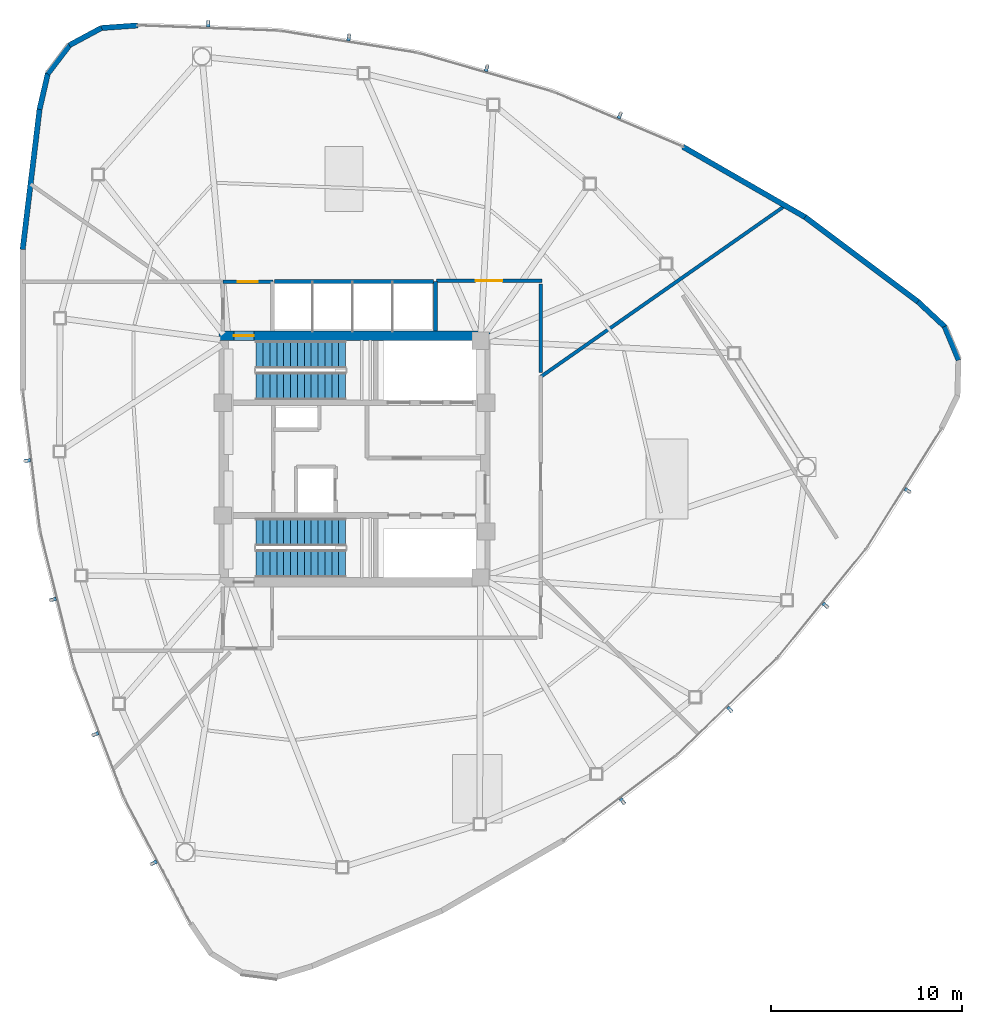
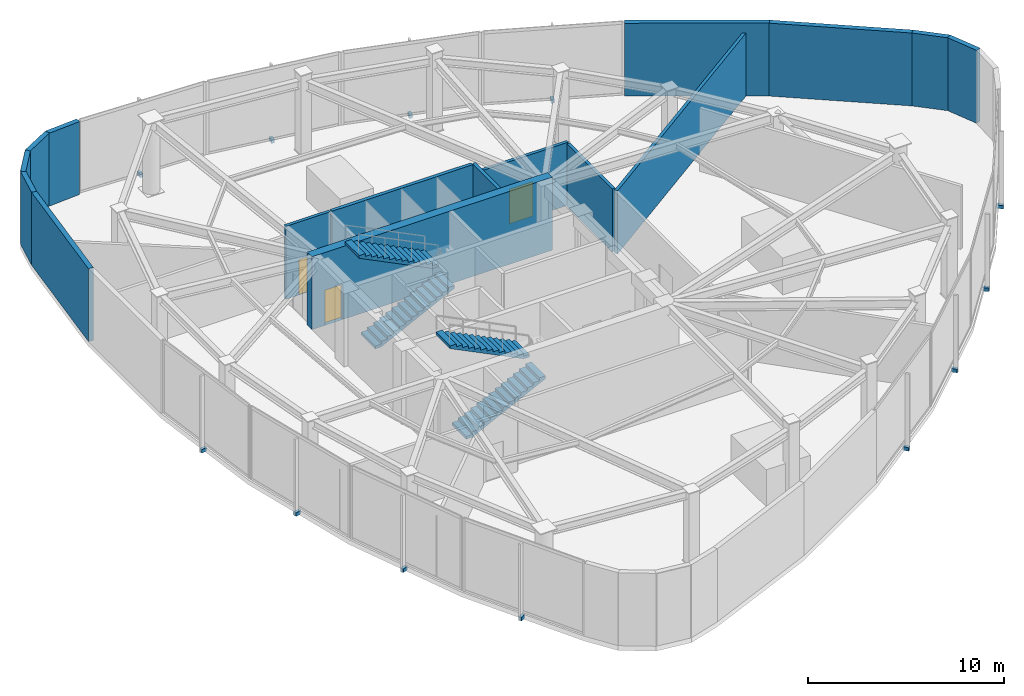
# One storey, part 12 of 17: 16 walls, 12 discrete accessories, 4 stair flights, 3 doors, 3 openings, 2 elements without a shape of their own.
"""IFC4 building model written with IfcOpenShell, lengths in metres."""

from ifc_helpers import new_model, si_unit, direction, frame, frame_2d, origin, origin_2d, place, context, subcontext, project, spatial, polyline, rectangle, outline, extrude, source, transform, mapped, material, layer, layer_set, type_object, type_shapes, element, fill, aggregate, save


model = new_model("IFC4")

# Units and contexts
model_context = context("Model", 3, precision=1e-05, world=origin(), true_north=direction((0.0, 1.0)))
body_context = subcontext(model_context, "Body", "Model", "MODEL_VIEW")
ifc_project = project(units=[si_unit("LENGTHUNIT", "METRE"), si_unit("AREAUNIT", "SQUARE_METRE"), si_unit("VOLUMEUNIT", "CUBIC_METRE"), si_unit("PLANEANGLEUNIT", "RADIAN"), si_unit("MASSUNIT", "GRAM", prefix="KILO")], contexts=[model_context])

# Site, building, storey
site_placement = place(None, origin())
site = spatial("IfcSite", under=ifc_project, at=site_placement, CompositionType="ELEMENT")
building_placement = place(site_placement, origin())
building = spatial("IfcBuilding", under=site, at=building_placement, Name="Tavelor Broadcast Tower", CompositionType="ELEMENT")
storey_placement = place(building_placement, frame((0.0, 0.0, 204.14990234375)))
storey = spatial("IfcBuildingStorey", under=building, at=storey_placement, Name="L49", CompositionType="ELEMENT", Elevation=204.14990234375)

# Wall, opening, door
ifc_material_1 = material(Name="Concrete C50/60", Category="concrete")
ifc_layer_1 = layer(ifc_material_1, 0.5)
ifc_layer_set_1 = layer_set([ifc_layer_1], Name="Concrete C50/60")
wall_type_1 = type_object("IfcWallType", Name="Core Shear Wall 500 mm", PredefinedType="SHEAR", material=ifc_layer_set_1)
wall_1_placement = place(storey_placement, frame((42.89990234375, 51.449951171875, 0.0), z_axis=(0.0, 0.0, 1.0), x_axis=(1.0, 0.0, 0.0)))
wall_1 = element("IfcWall", 1, at=wall_1_placement, inside=storey, type_object=wall_type_1, Name="L49 Central Core Shear Wall N", PredefinedType="SHEAR", context=body_context, shape_type="SweptSolid", body=[
    extrude(rectangle(XDim=14.2001953125, YDim=0.5, at=frame_2d((7.10009765625, 0.0))), origin(), (0.0, 0.0, 1.0), 4.550048828125),
])
opening_1_placement = place(wall_1_placement, frame((0.780029296875, 0.0, 0.0)))
opening_1 = element("IfcOpeningElement", 2, at=opening_1_placement, cuts=wall_1, Name="Opening DR11", PredefinedType="OPENING", context=body_context, shape_type="SweptSolid", body=[
    extrude(rectangle(XDim=1.050048828125, YDim=2.199951171875, at=frame_2d((0.52490234375, 1.10009765625))), frame((0.0, 0.260009765625, 0.0), z_axis=(0.0, -1.0, 0.0), x_axis=(1.0, 0.0, 0.0)), (0.0, 0.0, 1.0), 0.52001953125),
])
ifc_material_2 = material(Name="Steel S355", Category="steel")
door_type_1 = type_object("IfcDoorType", Name="Stair Core Fire Escape Door 1050x2200", OperationType="NOTDEFINED", PredefinedType="DOOR", material=ifc_material_2)
door_1_placement = place(opening_1_placement, origin())
door_1 = element("IfcDoor", 3, at=door_1_placement, inside=storey, type_object=door_type_1, Name="L49 Stair ST1 Protected Exit Door", OperationType="SINGLE_SWING_LEFT", OverallHeight=2.199951171875, OverallWidth=1.050048828125, PredefinedType="DOOR", context=body_context, shape_type="SweptSolid", body=[
    extrude(rectangle(XDim=1.050048828125, YDim=2.199951171875, at=frame_2d((0.52490234375, 1.10009765625))), frame((0.0, 0.02490234375, 0.0), z_axis=(0.0, -1.0, 0.0), x_axis=(1.0, 0.0, 0.0)), (0.0, 0.0, 1.0), 0.050048828125),
])
fill(opening_1, door_1)

ifc_material_3 = material(Name="Calcium Silicate Fire Board 180 mm", Category="gypsum")
ifc_layer_2 = layer(ifc_material_3, 0.179931640625)
ifc_layer_set_2 = layer_set([ifc_layer_2], Name="Calcium Silicate Fire Board 180 mm")
wall_type_2 = type_object("IfcWallType", Name="Fire-Rated Corridor Partition Wall 180 mm", PredefinedType="PARTITIONING", material=ifc_layer_set_2)
wall_2_placement = place(storey_placement, frame((43.10009765625, 54.300048828125, 0.0), z_axis=(0.0, 0.0, 1.0), x_axis=(1.0, 0.0, 0.0)))
wall_2 = element("IfcWall", 4, at=wall_2_placement, inside=storey, type_object=wall_type_2, Name="L49 Stair ST1 Lobby North Wall", PredefinedType="PARTITIONING", context=body_context, shape_type="SweptSolid", body=[
    extrude(rectangle(XDim=2.619873046875, YDim=0.179931640625, at=frame_2d((1.31005859375, 0.0))), origin(), (0.0, 0.0, 1.0), 4.550048828125),
])
opening_2_placement = place(wall_2_placement, frame((0.780029296875, 0.0, 0.0)))
opening_2 = element("IfcOpeningElement", 5, at=opening_2_placement, cuts=wall_2, Name="Opening DR11", PredefinedType="OPENING", context=body_context, shape_type="SweptSolid", body=[
    extrude(rectangle(XDim=1.050048828125, YDim=2.199951171875, at=frame_2d((0.52490234375, 1.10009765625))), frame((0.0, 0.10009765625, 0.0), z_axis=(0.0, -1.0, 0.0), x_axis=(1.0, 0.0, 0.0)), (0.0, 0.0, 1.0), 0.199951171875),
])
door_2_placement = place(opening_2_placement, origin())
door_2 = element("IfcDoor", 6, at=door_2_placement, inside=storey, type_object=door_type_1, Name="L49 Stair ST1 Lobby Corridor Door", OperationType="SINGLE_SWING_LEFT", OverallHeight=2.199951171875, OverallWidth=1.050048828125, PredefinedType="DOOR", context=body_context, shape_type="SweptSolid", body=[
    extrude(rectangle(XDim=1.050048828125, YDim=2.199951171875, at=frame_2d((0.52490234375, 1.10009765625))), frame((0.0, 0.02490234375, 0.0), z_axis=(0.0, -1.0, 0.0), x_axis=(1.0, 0.0, 0.0)), (0.0, 0.0, 1.0), 0.050048828125),
])
fill(opening_2, door_2)

# Wall
wall_3_placement = place(storey_placement, frame((59.75, 49.306396484375, 0.0), z_axis=(0.0, 0.0, 1.0), x_axis=(0.819154908889, 0.573572345256, 0.0)))
element("IfcWall", 7, at=wall_3_placement, inside=storey, type_object=wall_type_2, Name="L49 Plant Quadrant Fire Wall", PredefinedType="PARTITIONING", context=body_context, shape_type="SweptSolid", body=[
    extrude(rectangle(XDim=15.6396484375, YDim=0.179931640625, at=frame_2d((7.81982421875, 0.0))), origin(), (0.0, 0.0, 1.0), 3.93505859375),
])

# Wall, opening, door
wall_4_placement = place(storey_placement, frame((54.2900390625, 54.35009765625, 0.0), z_axis=(0.0, 0.0, 1.0), x_axis=(1.0, 0.0, 0.0)))
wall_4 = element("IfcWall", 8, at=wall_4_placement, inside=storey, type_object=wall_type_2, Name="L49 Plant Corridor Fire Wall", PredefinedType="PARTITIONING", context=body_context, shape_type="SweptSolid", body=[
    extrude(rectangle(XDim=5.52001953125, YDim=0.179931640625, at=frame_2d((2.760009765625, 0.0))), origin(), (0.0, 0.0, 1.0), 3.93505859375),
])
opening_3_placement = place(wall_4_placement, frame((2.06005859375, 0.0, 0.0)))
opening_3 = element("IfcOpeningElement", 9, at=opening_3_placement, cuts=wall_4, Name="Opening DR41", PredefinedType="OPENING", context=body_context, shape_type="SweptSolid", body=[
    extrude(rectangle(XDim=1.39990234375, YDim=2.14990234375, at=frame_2d((0.699951171875, 1.074951171875))), frame((0.0, 0.10009765625, 0.0), z_axis=(0.0, -1.0, 0.0), x_axis=(1.0, 0.0, 0.0)), (0.0, 0.0, 1.0), 0.199951171875),
])
door_type_2 = type_object("IfcDoorType", Name="Plant Room Double Fire Door 1400x2150", OperationType="NOTDEFINED", PredefinedType="DOOR", material=ifc_material_2)
door_3_placement = place(opening_3_placement, origin())
door_3 = element("IfcDoor", 10, at=door_3_placement, inside=storey, type_object=door_type_2, Name="L49 High-Zone Electrical Switchgear Plant Direct Corridor Door", OperationType="SINGLE_SWING_RIGHT", OverallHeight=2.14990234375, OverallWidth=1.39990234375, PredefinedType="DOOR", context=body_context, shape_type="SweptSolid", body=[
    extrude(rectangle(XDim=1.39990234375, YDim=2.14990234375, at=frame_2d((0.699951171875, 1.074951171875))), frame((0.0, 0.02490234375, 0.0), z_axis=(0.0, -1.0, 0.0), x_axis=(1.0, 0.0, 0.0)), (0.0, 0.0, 1.0), 0.050048828125),
])
fill(opening_3, door_3)

# Walls
wall_5_placement = place(storey_placement, frame((59.75, 54.169921875, 0.0), z_axis=(0.0, 0.0, 1.0), x_axis=(0.0, -1.0, 0.0)))
element("IfcWall", 11, at=wall_5_placement, inside=storey, type_object=wall_type_2, Name="L49 Plant Corridor Fire Wall", PredefinedType="PARTITIONING", context=body_context, shape_type="SweptSolid", body=[
    extrude(rectangle(XDim=4.642822265625, YDim=0.179931640625, at=frame_2d((2.3212890625, 0.0))), origin(), (0.0, 0.0, 1.0), 3.93505859375),
])
ifc_material_4 = material(Name="Precast Concrete C40/50", Category="concrete")
ifc_layer_3 = layer(ifc_material_4, 0.280029296875)
ifc_layer_set_3 = layer_set([ifc_layer_3], Name="Precast Concrete C40/50")
wall_type_3 = type_object("IfcWallType", Name="Insulated Precast Terracotta Facade Wall 280 mm", PredefinedType="STANDARD", material=ifc_layer_set_3)
wall_6_placement = place(storey_placement, frame((38.64306640625, 67.71630859375, 0.0), z_axis=(0.0, 0.0, 1.0), x_axis=(-0.997504813047, -0.070598498204, 0.0)))
element("IfcWall", 12, at=wall_6_placement, inside=storey, type_object=wall_type_3, Name="L49 Rounded Corner Structural Cladding Pier 01", PredefinedType="STANDARD", context=body_context, shape_type="SweptSolid", body=[
    extrude(rectangle(XDim=1.92626953125, YDim=0.280029296875, at=frame_2d((0.963134765625, 0.0))), origin(), (0.0, 0.0, 1.0), 4.550048828125),
])
for number, where, z_axis, x_axis, name in (
    (13, (36.749755859375, 67.58837890625, 0.0), (0.0, 0.0, 1.0), (-0.880122822962, -0.474746054751, 0.0), "L49 Rounded Corner Structural Cladding Pier 02"),
    (14, (35.087158203125, 66.698486328125, 0.0), (0.0, 0.0, 1.0), (-0.606711489136, -0.794922115022, 0.0), "L49 Rounded Corner Structural Cladding Pier 03"),
):
    element("IfcWall", number, at=place(storey_placement, frame(where, z_axis=z_axis, x_axis=x_axis)), inside=storey, type_object=wall_type_3, Name=name, PredefinedType="STANDARD", context=body_context, shape_type="SweptSolid", body=[
        extrude(rectangle(XDim=1.91455078125, YDim=0.280029296875, at=frame_2d((0.957275390625, 0.0))), origin(), (0.0, 0.0, 1.0), 4.550048828125),
    ])
wall_7_placement = place(storey_placement, frame((33.93798828125, 65.202880859375, 0.0), z_axis=(0.0, 0.0, 1.0), x_axis=(-0.225835018028, -0.974165563255, 0.0)))
element("IfcWall", 15, at=wall_7_placement, inside=storey, type_object=wall_type_3, Name="L49 Rounded Corner Structural Cladding Pier 04", PredefinedType="STANDARD", context=body_context, shape_type="SweptSolid", body=[
    extrude(rectangle(XDim=1.937255859375, YDim=0.280029296875, at=frame_2d((0.96875, 0.0))), origin(), (0.0, 0.0, 1.0), 4.550048828125),
])
wall_8_placement = place(storey_placement, frame((33.505859375, 63.34521484375, 0.0), z_axis=(0.0, 0.0, 1.0), x_axis=(-0.119722823367, -0.992807355717, 0.0)))
element("IfcWall", 16, at=wall_8_placement, inside=storey, type_object=wall_type_3, Name="L49 Rounded Corner Structural Cladding Pier 05", PredefinedType="STANDARD", context=body_context, shape_type="SweptSolid", body=[
    extrude(rectangle(XDim=7.416748046875, YDim=0.280029296875, at=frame_2d((3.70849609375, 0.0))), origin(), (0.0, 0.0, 1.0), 4.550048828125),
])
wall_9_placement = place(storey_placement, frame((81.647705078125, 50.18359375, 0.0), z_axis=(0.0, 0.0, 1.0), x_axis=(-0.385113339542, 0.922869284193, 0.0)))
element("IfcWall", 17, at=wall_9_placement, inside=storey, type_object=wall_type_3, Name="L49 Rounded Corner Structural Cladding Pier 23", PredefinedType="STANDARD", context=body_context, shape_type="SweptSolid", body=[
    extrude(rectangle(XDim=1.91455078125, YDim=0.280029296875, at=frame_2d((0.957275390625, 0.0))), origin(), (0.0, 0.0, 1.0), 4.550048828125),
])
wall_10_placement = place(storey_placement, frame((80.92724609375, 51.92626953125, 0.0), z_axis=(0.0, 0.0, 1.0), x_axis=(-0.730707325425, 0.682690855783, 0.0)))
element("IfcWall", 18, at=wall_10_placement, inside=storey, type_object=wall_type_3, Name="L49 Rounded Corner Structural Cladding Pier 24", PredefinedType="STANDARD", context=body_context, shape_type="SweptSolid", body=[
    extrude(rectangle(XDim=1.937255859375, YDim=0.280029296875, at=frame_2d((0.96875, 0.0))), origin(), (0.0, 0.0, 1.0), 4.550048828125),
])
wall_11_placement = place(storey_placement, frame((79.534423828125, 53.2294921875, 0.0), z_axis=(0.0, 0.0, 1.0), x_axis=(-0.799920988523, 0.600105334188, 0.0)))
element("IfcWall", 19, at=wall_11_placement, inside=storey, type_object=wall_type_3, Name="L49 Rounded Corner Structural Cladding Pier 25", PredefinedType="STANDARD", context=body_context, shape_type="SweptSolid", body=[
    extrude(rectangle(XDim=7.41650390625, YDim=0.280029296875, at=frame_2d((3.708251953125, 0.0))), origin(), (0.0, 0.0, 1.0), 4.550048828125),
])
wall_12_placement = place(storey_placement, frame((73.626708984375, 57.66357421875, 0.0), z_axis=(0.0, 0.0, 1.0), x_axis=(-0.86667040833, 0.498881151504, 0.0)))
element("IfcWall", 20, at=wall_12_placement, inside=storey, type_object=wall_type_3, Name="L49 Rounded Corner Structural Cladding Pier 26", PredefinedType="STANDARD", context=body_context, shape_type="SweptSolid", body=[
    extrude(rectangle(XDim=7.40478515625, YDim=0.280029296875, at=frame_2d((3.702392578125, 0.0))), origin(), (0.0, 0.0, 1.0), 4.550048828125),
])
ifc_material_5 = material(Name="Concrete Blockwork 200 mm", Category="masonry")
ifc_layer_4 = layer(ifc_material_5, 0.199951171875)
ifc_layer_set_4 = layer_set([ifc_layer_4], Name="Concrete Blockwork 200 mm")
wall_type_4 = type_object("IfcWallType", Name="Lift Hoistway Rated Front Wall 200 mm", PredefinedType="PARTITIONING", material=ifc_layer_set_4)
wall_13_placement = place(storey_placement, frame((45.820068359375, 54.300048828125, 0.0), z_axis=(0.0, 0.0, 1.0), x_axis=(1.0, 0.0, 0.0)))
element("IfcWall", 21, at=wall_13_placement, inside=storey, type_object=wall_type_4, Name="L49 High-Rise Lift Hoistway Front Wall", PredefinedType="PARTITIONING", context=body_context, shape_type="SweptSolid", body=[
    extrude(rectangle(XDim=8.309814453125, YDim=0.199951171875, at=frame_2d((4.15478515625, 0.0))), origin(), (0.0, 0.0, 1.0), 4.550048828125),
])
ifc_layer_5 = layer(ifc_material_5, 0.199951171875)
ifc_layer_set_5 = layer_set([ifc_layer_5], Name="Concrete Blockwork 200 mm")
wall_type_5 = type_object("IfcWallType", Name="Lift and Riser Shaft Enclosure Wall 200 mm", PredefinedType="PARTITIONING", material=ifc_layer_set_5)
wall_14_placement = place(storey_placement, frame((54.25, 51.699951171875, 0.0), z_axis=(0.0, 0.0, 1.0), x_axis=(0.0, 1.0, 0.0)))
element("IfcWall", 22, at=wall_14_placement, inside=storey, type_object=wall_type_5, Name="L49 High-Rise Lift Shaft East Wall", PredefinedType="PARTITIONING", context=body_context, shape_type="SweptSolid", body=[
    extrude(rectangle(XDim=2.60009765625, YDim=0.199951171875, at=frame_2d((1.300048828125, 0.0))), origin(), (0.0, 0.0, 1.0), 4.550048828125),
])

# Stair, stair flights
ifc_material_6 = material(Name="Concrete C40/50", Category="concrete")
stair_type = type_object("IfcStairType", Name="Reinforced Concrete Protected Dogleg Stair 1450 mm", PredefinedType="HALF_TURN_STAIR", material=ifc_material_6)
stair_1_placement = place(storey_placement, origin())
stair_1 = element("IfcStair", 23, at=stair_1_placement, inside=storey, type_object=stair_type, Name="L49 Protected Core Exit Stair ST1", PredefinedType="HALF_TURN_STAIR")
stair_flight_type = type_object("IfcStairFlightType", Name="Reinforced Concrete Stair Flight 1450 mm", PredefinedType="STRAIGHT", material=ifc_material_6)
stair_flight_1_placement = place(storey_placement, frame((44.85009765625, 48.824951171875, 0.0), z_axis=(0.0, 0.0, 1.0), x_axis=(1.0, 0.0, 0.0)))
stair_flight_1 = element("IfcStairFlight", 24, at=stair_flight_1_placement, type_object=stair_flight_type, Name="ST1 flight 1", NumberOfRisers=14, NumberOfTreads=13, PredefinedType="STRAIGHT", RiserHeight=0.178571429, TreadLength=0.36, context=body_context, shape_type="SweptSolid", body=[
    extrude(outline(polyline([(0.0, 0.0), (0.0, 0.178466796875), (0.360107421875, 0.178466796875), (0.360107421875, 0.357177734375), (0.719970703125, 0.357177734375), (0.719970703125, 0.53564453125), (1.080078125, 0.53564453125), (1.080078125, 0.71435546875), (1.43994140625, 0.71435546875), (1.43994140625, 0.892822265625), (1.800048828125, 0.892822265625), (1.800048828125, 1.071533203125), (2.159912109375, 1.071533203125), (2.159912109375, 1.25), (2.52001953125, 1.25), (2.52001953125, 1.428466796875), (2.8798828125, 1.428466796875), (2.8798828125, 1.607177734375), (3.239990234375, 1.607177734375), (3.239990234375, 1.78564453125), (3.60009765625, 1.78564453125), (3.60009765625, 1.96435546875), (3.9599609375, 1.96435546875), (3.9599609375, 2.142822265625), (4.320068359375, 2.142822265625), (4.320068359375, 2.321533203125), (4.679931640625, 2.321533203125), (4.679931640625, 2.5), (4.679931640625, 2.154052734375), (0.33740234375, 0.0), (0.0, 0.0)])), frame((0.0, 0.72509765625, 0.0), z_axis=(0.0, -1.0, 0.0), x_axis=(1.0, 0.0, 0.0)), (0.0, 0.0, 1.0), 1.449951171875),
])
stair_flight_2_placement = place(storey_placement, frame((49.530029296875, 50.47509765625, 2.5), z_axis=(0.0, 0.0, 1.0), x_axis=(-1.0, 0.0, 0.0)))
stair_flight_2 = element("IfcStairFlight", 25, at=stair_flight_2_placement, type_object=stair_flight_type, Name="ST1 flight 2", NumberOfRisers=14, NumberOfTreads=13, PredefinedType="STRAIGHT", RiserHeight=0.178571429, TreadLength=0.36, context=body_context, shape_type="SweptSolid", body=[
    extrude(outline(polyline([(0.0, 0.0), (0.0, 0.178466796875), (0.360107421875, 0.178466796875), (0.360107421875, 0.357177734375), (0.719970703125, 0.357177734375), (0.719970703125, 0.53564453125), (1.080078125, 0.53564453125), (1.080078125, 0.71435546875), (1.43994140625, 0.71435546875), (1.43994140625, 0.892822265625), (1.800048828125, 0.892822265625), (1.800048828125, 1.071533203125), (2.159912109375, 1.071533203125), (2.159912109375, 1.25), (2.52001953125, 1.25), (2.52001953125, 1.428466796875), (2.8798828125, 1.428466796875), (2.8798828125, 1.607177734375), (3.239990234375, 1.607177734375), (3.239990234375, 1.78564453125), (3.60009765625, 1.78564453125), (3.60009765625, 1.96435546875), (3.9599609375, 1.96435546875), (3.9599609375, 2.142822265625), (4.320068359375, 2.142822265625), (4.320068359375, 2.321533203125), (4.679931640625, 2.321533203125), (4.679931640625, 2.5), (4.679931640625, 2.154052734375), (0.33740234375, 0.0), (0.0, 0.0)])), frame((0.0, 0.72509765625, 0.0), z_axis=(0.0, -1.0, 0.0), x_axis=(1.0, 0.0, 0.0)), (0.0, 0.0, 1.0), 1.449951171875),
])
aggregate(stair_1, [stair_flight_1, stair_flight_2])

stair_2_placement = place(storey_placement, origin())
stair_2 = element("IfcStair", 26, at=stair_2_placement, inside=storey, type_object=stair_type, Name="L49 Protected Core Exit Stair ST2", PredefinedType="HALF_TURN_STAIR")
stair_flight_3_placement = place(storey_placement, frame((44.85009765625, 39.52490234375, 0.0), z_axis=(0.0, 0.0, 1.0), x_axis=(1.0, 0.0, 0.0)))
stair_flight_3 = element("IfcStairFlight", 27, at=stair_flight_3_placement, type_object=stair_flight_type, Name="ST2 flight 1", NumberOfRisers=14, NumberOfTreads=13, PredefinedType="STRAIGHT", RiserHeight=0.178571429, TreadLength=0.36, context=body_context, shape_type="SweptSolid", body=[
    extrude(outline(polyline([(0.0, 0.0), (0.0, 0.178466796875), (0.360107421875, 0.178466796875), (0.360107421875, 0.357177734375), (0.719970703125, 0.357177734375), (0.719970703125, 0.53564453125), (1.080078125, 0.53564453125), (1.080078125, 0.71435546875), (1.43994140625, 0.71435546875), (1.43994140625, 0.892822265625), (1.800048828125, 0.892822265625), (1.800048828125, 1.071533203125), (2.159912109375, 1.071533203125), (2.159912109375, 1.25), (2.52001953125, 1.25), (2.52001953125, 1.428466796875), (2.8798828125, 1.428466796875), (2.8798828125, 1.607177734375), (3.239990234375, 1.607177734375), (3.239990234375, 1.78564453125), (3.60009765625, 1.78564453125), (3.60009765625, 1.96435546875), (3.9599609375, 1.96435546875), (3.9599609375, 2.142822265625), (4.320068359375, 2.142822265625), (4.320068359375, 2.321533203125), (4.679931640625, 2.321533203125), (4.679931640625, 2.5), (4.679931640625, 2.154052734375), (0.33740234375, 0.0), (0.0, 0.0)])), frame((0.0, 0.72509765625, 0.0), z_axis=(0.0, -1.0, 0.0), x_axis=(1.0, 0.0, 0.0)), (0.0, 0.0, 1.0), 1.449951171875),
])
stair_flight_4_placement = place(storey_placement, frame((49.530029296875, 41.175048828125, 2.5), z_axis=(0.0, 0.0, 1.0), x_axis=(-1.0, 0.0, 0.0)))
stair_flight_4 = element("IfcStairFlight", 28, at=stair_flight_4_placement, type_object=stair_flight_type, Name="ST2 flight 2", NumberOfRisers=14, NumberOfTreads=13, PredefinedType="STRAIGHT", RiserHeight=0.178571429, TreadLength=0.36, context=body_context, shape_type="SweptSolid", body=[
    extrude(outline(polyline([(0.0, 0.0), (0.0, 0.178466796875), (0.360107421875, 0.178466796875), (0.360107421875, 0.357177734375), (0.719970703125, 0.357177734375), (0.719970703125, 0.53564453125), (1.080078125, 0.53564453125), (1.080078125, 0.71435546875), (1.43994140625, 0.71435546875), (1.43994140625, 0.892822265625), (1.800048828125, 0.892822265625), (1.800048828125, 1.071533203125), (2.159912109375, 1.071533203125), (2.159912109375, 1.25), (2.52001953125, 1.25), (2.52001953125, 1.428466796875), (2.8798828125, 1.428466796875), (2.8798828125, 1.607177734375), (3.239990234375, 1.607177734375), (3.239990234375, 1.78564453125), (3.60009765625, 1.78564453125), (3.60009765625, 1.96435546875), (3.9599609375, 1.96435546875), (3.9599609375, 2.142822265625), (4.320068359375, 2.142822265625), (4.320068359375, 2.321533203125), (4.679931640625, 2.321533203125), (4.679931640625, 2.5), (4.679931640625, 2.154052734375), (0.33740234375, 0.0), (0.0, 0.0)])), frame((0.0, 0.72509765625, 0.0), z_axis=(0.0, -1.0, 0.0), x_axis=(1.0, 0.0, 0.0)), (0.0, 0.0, 1.0), 1.449951171875),
])
aggregate(stair_2, [stair_flight_3, stair_flight_4])

# Discrete accessories
discrete_accessory_type = type_object("IfcDiscreteAccessoryType", Name="Stainless Baguette Outrigger Support Bracket 260x180", PredefinedType="BRACKET", material=ifc_material_2)
shared_shape = source(origin(), body_context, "Body", "SweptSolid", [
    extrude(rectangle(XDim=0.179931640625, YDim=0.340087890625, at=origin_2d()), origin(), (0.0, 0.0, 1.0), 0.216064453125),
])
type_shapes(discrete_accessory_type, [shared_shape])
for number, where, z_axis, x_axis, name in (
    (29, (32.862548828125, 44.9189453125, -0.2578125), (0.0, 0.0, 1.0), (0.12221579994, -0.992503550747, 0.0), "L49 Baguette Outrigger Bracket 517"),
    (30, (34.210693359375, 37.64404296875, -0.2578125), (0.0, 0.0, 1.0), (0.241583183765, -0.970380113833, 0.0), "L49 Baguette Outrigger Bracket 518"),
    (31, (36.4296875, 30.585693359375, -0.2578125), (0.0, 0.0, 1.0), (0.357227098715, -0.934017558691, 0.0), "L49 Baguette Outrigger Bracket 519"),
    (32, (39.486083984375, 23.84765625, -0.2578125), (0.0, 0.0, 1.0), (0.467621293358, -0.883928914562, 0.0), "L49 Baguette Outrigger Bracket 520"),
    (33, (64.0390625, 27.081298828125, -0.2578125), (0.0, 0.0, 1.0), (0.798320290977, 0.602233105213, 0.0), "L49 Baguette Outrigger Bracket 521"),
    (34, (69.6650390625, 31.886474609375, -0.2578125), (0.0, 0.0, 1.0), (0.719582238024, 0.694407231184, 0.0), "L49 Baguette Outrigger Bracket 522"),
    (35, (74.66845703125, 37.337158203125, -0.2578125), (0.0, 0.0, 1.0), (0.63026938405, 0.776376521753, 0.0), "L49 Baguette Outrigger Bracket 523"),
    (36, (78.975341796875, 43.353271484375, -0.2578125), (0.0, 0.0, 1.0), (0.531694248471, 0.846936376679, 0.0), "L49 Baguette Outrigger Bracket 524"),
    (37, (63.898681640625, 62.999755859375, -0.2578125), (0.0, 0.0, 1.0), (-0.920641188263, 0.390409787882, 0.0), "L49 Baguette Outrigger Bracket 525"),
    (38, (56.924072265625, 65.469482421875, -0.2578125), (0.0, 0.0, 1.0), (-0.961165421789, 0.275972882649, 0.0), "L49 Baguette Outrigger Bracket 526"),
    (39, (49.701904296875, 67.0771484375, -0.2578125), (0.0, 0.0, 1.0), (-0.987496482765, 0.157641036938, 0.0), "L49 Baguette Outrigger Bracket 527"),
    (40, (42.33837890625, 67.799072265625, -0.2578125), (0.0, 0.0, 1.0), (-0.999315541829, 0.036992537883, 0.0), "L49 Baguette Outrigger Bracket 528"),
):
    element("IfcDiscreteAccessory", number, at=place(storey_placement, frame(where, z_axis=z_axis, x_axis=x_axis)), inside=storey, type_object=discrete_accessory_type, Name=name, PredefinedType="BRACKET", context=body_context, shape_type="MappedRepresentation", body=[
        mapped(shared_shape, transform((0.0, 0.0, 0.0), scale=1.0)),
    ])

save(model, "model.ifc")
